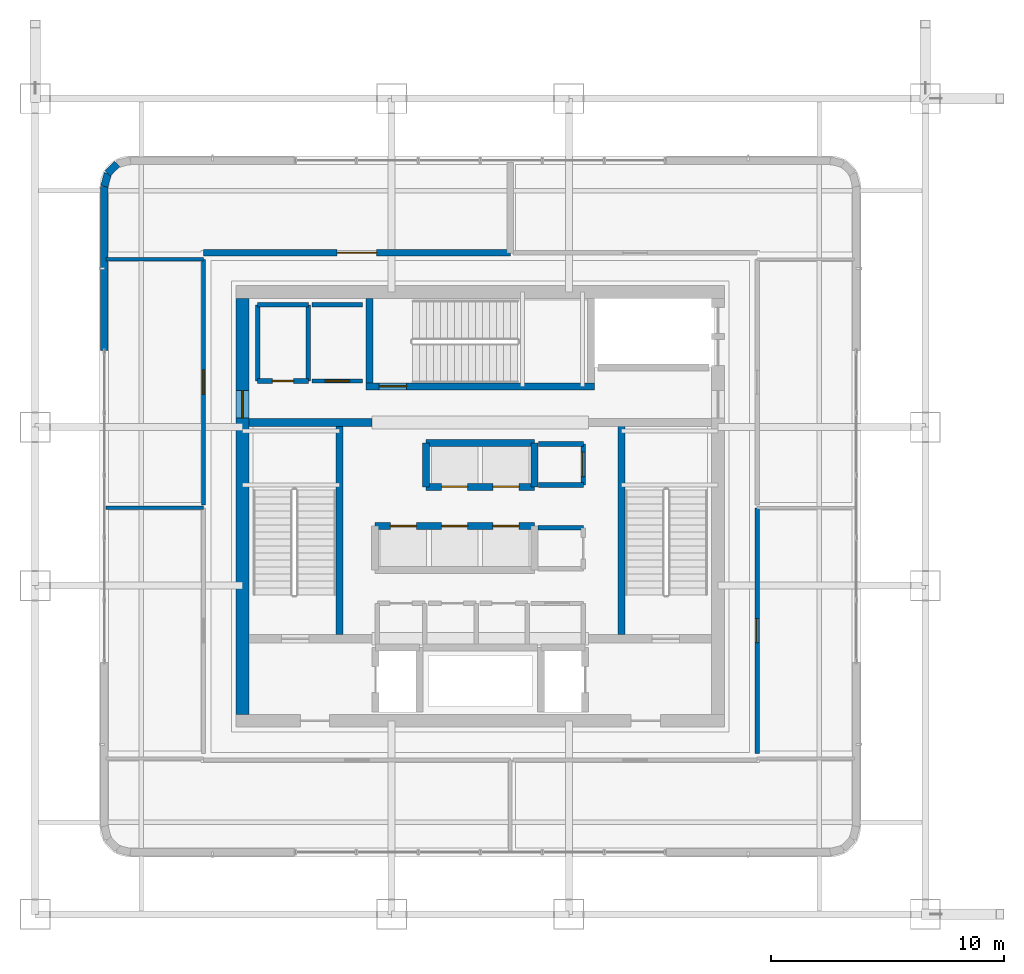
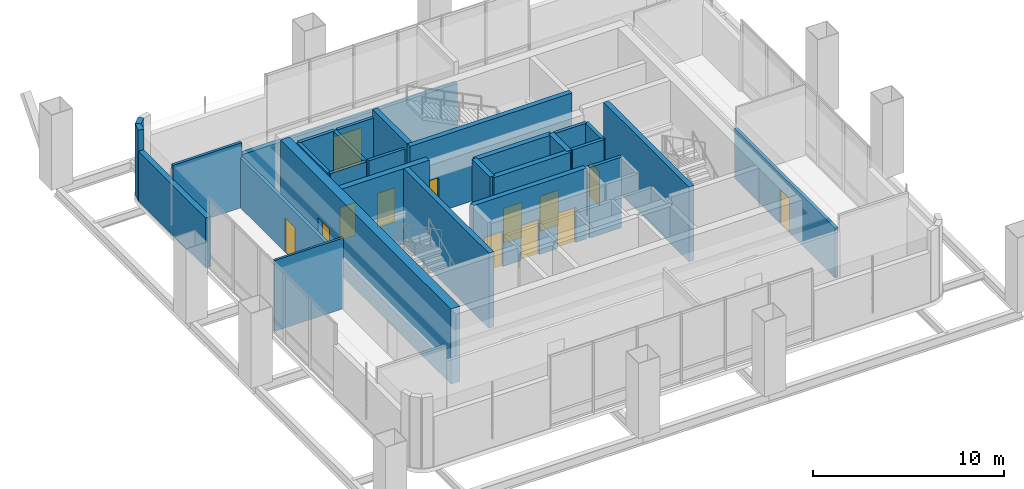
# One storey, part 21 of 33: 29 walls, 13 doors, 13 openings.
"""IFC4 building model written with IfcOpenShell, lengths in metres."""

from ifc_helpers import new_model, si_unit, direction, frame, frame_2d, origin, place, context, subcontext, project, spatial, rectangle, extrude, material, layer, layer_set, type_object, element, fill, save


model = new_model("IFC4")

# Units and contexts
model_context = context("Model", 3, precision=1e-05, world=origin(), true_north=direction((0.0, 1.0)))
body_context = subcontext(model_context, "Body", "Model", "MODEL_VIEW")
ifc_project = project(units=[si_unit("LENGTHUNIT", "METRE"), si_unit("AREAUNIT", "SQUARE_METRE"), si_unit("VOLUMEUNIT", "CUBIC_METRE"), si_unit("PLANEANGLEUNIT", "RADIAN"), si_unit("MASSUNIT", "GRAM", prefix="KILO")], contexts=[model_context])

# Site, building, storey
site_placement = place(None, origin())
site = spatial("IfcSite", under=ifc_project, at=site_placement, CompositionType="ELEMENT")
building_placement = place(site_placement, origin())
building = spatial("IfcBuilding", under=site, at=building_placement, Name="Punatoya Terracotta Tower", CompositionType="ELEMENT")
storey_placement = place(building_placement, frame((0.0, 0.0, 246.60009765625)))
storey = spatial("IfcBuildingStorey", under=building, at=storey_placement, Name="L58", CompositionType="ELEMENT", Elevation=246.60009765625)

# Wall, opening, door
ifc_material_1 = material(Name="Concrete C40/50", Category="concrete")
ifc_layer_1 = layer(ifc_material_1, 0.280029296875)
ifc_layer_set_1 = layer_set([ifc_layer_1], Name="Concrete C40/50")
wall_type_1 = type_object("IfcWallType", Name="WL-AUD-280", PredefinedType="SOLIDWALL", material=ifc_layer_set_1)
wall_1_placement = place(storey_placement, frame((1.285888671875, 10.8798828125, 0.0), z_axis=(0.0, 0.0, 1.0), x_axis=(-1.0, 0.0, 0.0)))
wall_1 = element("IfcWall", 1, at=wall_1_placement, inside=storey, type_object=wall_type_1, Name="L58 Waterfront Espresso Bistro Partition 36", PredefinedType="SOLIDWALL", context=body_context, shape_type="SweptSolid", body=[
    extrude(rectangle(XDim=13.165771484375, YDim=0.280029296875, at=frame_2d((6.5830078125, 0.0))), origin(), (0.0, 0.0, 1.0), 3.19384765625),
])
opening_1_placement = place(wall_1_placement, frame((5.73291015625, 0.0, 0.0)))
opening_1 = element("IfcOpeningElement", 2, at=opening_1_placement, cuts=wall_1, Name="Opening FD-D1", PredefinedType="OPENING", context=body_context, shape_type="SweptSolid", body=[
    extrude(rectangle(XDim=1.699951171875, YDim=2.300048828125, at=frame_2d((0.85009765625, 1.14990234375))), frame((0.0, 0.14990234375, 0.0), z_axis=(0.0, -1.0, 0.0), x_axis=(1.0, 0.0, 0.0)), (0.0, 0.0, 1.0), 0.300048828125),
])
ifc_material_2 = material(Name="Timber Teak Veneer Fire Leaf", Category="wood")
door_type_1 = type_object("IfcDoorType", Name="DR-DIN-1700", OperationType="NOTDEFINED", PredefinedType="DOOR", material=ifc_material_2)
door_1_placement = place(opening_1_placement, origin())
door_1 = element("IfcDoor", 3, at=door_1_placement, inside=storey, type_object=door_type_1, Name="L58 Waterfront Espresso Bistro Fire Door", OperationType="DOUBLE_DOOR_SINGLE_SWING", OverallHeight=2.300048828125, OverallWidth=1.699951171875, PredefinedType="DOOR", context=body_context, shape_type="SweptSolid", body=[
    extrude(rectangle(XDim=1.699951171875, YDim=2.300048828125, at=frame_2d((0.85009765625, 1.14990234375))), frame((0.0, 0.02490234375, 0.0), z_axis=(0.0, -1.0, 0.0), x_axis=(1.0, 0.0, 0.0)), (0.0, 0.0, 1.0), 0.050048828125),
])
fill(opening_1, door_1)

ifc_material_3 = material(Name="Concrete C50/60", Category="concrete")
ifc_layer_2 = layer(ifc_material_3, 0.550048828125)
ifc_layer_set_2 = layer_set([ifc_layer_2], Name="Concrete C50/60")
wall_type_2 = type_object("IfcWallType", Name="WL-COR-550", PredefinedType="SHEAR", material=ifc_layer_set_2)
wall_2_placement = place(storey_placement, frame((-10.199951171875, -8.925048828125, 0.0), z_axis=(0.0, 0.0, 1.0), x_axis=(0.0, 1.0, 0.0)))
wall_2 = element("IfcWall", 4, at=wall_2_placement, inside=storey, type_object=wall_type_2, Name="L58 Core Shear Wall W", PredefinedType="SHEAR", context=body_context, shape_type="SweptSolid", body=[
    extrude(rectangle(XDim=17.85009765625, YDim=0.550048828125, at=frame_2d((8.925048828125, 0.0))), origin(), (0.0, 0.0, 1.0), 4.7998046875),
])
opening_2_placement = place(wall_2_placement, frame((12.715087890625, 0.0, 0.0)))
opening_2 = element("IfcOpeningElement", 5, at=opening_2_placement, cuts=wall_2, Name="Opening SD-01", PredefinedType="OPENING", context=body_context, shape_type="SweptSolid", body=[
    extrude(rectangle(XDim=1.179931640625, YDim=2.199951171875, at=frame_2d((0.58984375, 1.10009765625))), frame((0.0, 0.284912109375, 0.0), z_axis=(0.0, -1.0, 0.0), x_axis=(1.0, 0.0, 0.0)), (0.0, 0.0, 1.0), 0.570068359375),
])
ifc_material_4 = material(Name="Galvanised Steel Pressurized Stair Fire Door", Category="steel")
door_type_2 = type_object("IfcDoorType", Name="DR-STR-1180", OperationType="NOTDEFINED", PredefinedType="DOOR", material=ifc_material_4)
door_2_placement = place(opening_2_placement, origin())
door_2 = element("IfcDoor", 6, at=door_2_placement, inside=storey, type_object=door_type_2, Name="L58 Central Lift Lobby West Fire Door", OperationType="SINGLE_SWING_LEFT", OverallHeight=2.199951171875, OverallWidth=1.179931640625, PredefinedType="DOOR", context=body_context, shape_type="SweptSolid", body=[
    extrude(rectangle(XDim=1.179931640625, YDim=2.199951171875, at=frame_2d((0.58984375, 1.10009765625))), frame((0.0, 0.02490234375, 0.0), z_axis=(0.0, -1.0, 0.0), x_axis=(1.0, 0.0, 0.0)), (0.0, 0.0, 1.0), 0.050048828125),
])
fill(opening_2, door_2)

# Wall
ifc_material_5 = material(Name="Gypsum Fireboard + Steel Stud", Category="steel")
ifc_layer_3 = layer(ifc_material_5, 0.179931640625)
ifc_layer_set_3 = layer_set([ifc_layer_3], Name="Gypsum Fireboard + Steel Stud")
wall_type_3 = type_object("IfcWallType", Name="WL-CORR-180", PredefinedType="PARTITIONING", material=ifc_layer_set_3)
wall_3_placement = place(storey_placement, frame((-5.050048828125, 8.64990234375, 0.0), z_axis=(0.0, 0.0, 1.0), x_axis=(-1.0, 0.0, 0.0)))
element("IfcWall", 7, at=wall_3_placement, inside=storey, type_object=wall_type_3, Name="L58 West Core Print Room Partition 20", PredefinedType="PARTITIONING", context=body_context, shape_type="SweptSolid", body=[
    extrude(rectangle(XDim=2.169921875, YDim=0.179931640625, at=frame_2d((1.0849609375, 0.0))), origin(), (0.0, 0.0, 1.0), 4.52001953125),
])

# Wall, opening, door
wall_4_placement = place(storey_placement, frame((-7.219970703125, 5.3798828125, 0.0), z_axis=(0.0, 0.0, 1.0), x_axis=(1.0, 0.0, 0.0)))
wall_4 = element("IfcWall", 8, at=wall_4_placement, inside=storey, type_object=wall_type_3, Name="L58 West Core Print Room Partition 21", PredefinedType="PARTITIONING", context=body_context, shape_type="SweptSolid", body=[
    extrude(rectangle(XDim=2.169921875, YDim=0.179931640625, at=frame_2d((1.0849609375, 0.0))), origin(), (0.0, 0.0, 1.0), 4.52001953125),
])
opening_3_placement = place(wall_4_placement, frame((0.56005859375, 0.0, 0.0)))
opening_3 = element("IfcOpeningElement", 9, at=opening_3_placement, cuts=wall_4, Name="Opening OD-01", PredefinedType="OPENING", context=body_context, shape_type="SweptSolid", body=[
    extrude(rectangle(XDim=1.050048828125, YDim=2.199951171875, at=frame_2d((0.52490234375, 1.10009765625))), frame((0.0, 0.099853515625, 0.0), z_axis=(0.0, -1.0, 0.0), x_axis=(1.0, 0.0, 0.0)), (0.0, 0.0, 1.0), 0.199951171875),
])
ifc_material_6 = material(Name="Bengal Teak Solid-Core Leaf")
door_type_3 = type_object("IfcDoorType", Name="DR-OFF-1050", OperationType="NOTDEFINED", PredefinedType="DOOR", material=ifc_material_6)
door_3_placement = place(opening_3_placement, origin())
door_3 = element("IfcDoor", 10, at=door_3_placement, inside=storey, type_object=door_type_3, Name="L58 West Print Room Door", OperationType="SINGLE_SWING_RIGHT", OverallHeight=2.199951171875, OverallWidth=1.050048828125, PredefinedType="DOOR", context=body_context, shape_type="SweptSolid", body=[
    extrude(rectangle(XDim=1.050048828125, YDim=2.199951171875, at=frame_2d((0.52490234375, 1.10009765625))), frame((0.0, 0.02490234375, 0.0), z_axis=(0.0, -1.0, 0.0), x_axis=(1.0, 0.0, 0.0)), (0.0, 0.0, 1.0), 0.050048828125),
])
fill(opening_3, door_3)

wall_5_placement = place(storey_placement, frame((11.8798828125, -10.60009765625, 0.0), z_axis=(0.0, 0.0, 1.0), x_axis=(0.0, 1.0, 0.0)))
wall_5 = element("IfcWall", 11, at=wall_5_placement, inside=storey, type_object=wall_type_3, Name="L58 Collaborative Seminar Room Partition 29", PredefinedType="PARTITIONING", context=body_context, shape_type="SweptSolid", body=[
    extrude(rectangle(XDim=10.5400390625, YDim=0.179931640625, at=frame_2d((5.27001953125, 0.0))), origin(), (0.0, 0.0, 1.0), 3.19384765625),
])
opening_4_placement = place(wall_5_placement, frame((4.760009765625, 0.0, 0.0)))
opening_4 = element("IfcOpeningElement", 12, at=opening_4_placement, cuts=wall_5, Name="Opening MD-01", PredefinedType="OPENING", context=body_context, shape_type="SweptSolid", body=[
    extrude(rectangle(XDim=1.02001953125, YDim=2.199951171875, at=frame_2d((0.510009765625, 1.10009765625))), frame((0.0, 0.099853515625, 0.0), z_axis=(0.0, -1.0, 0.0), x_axis=(1.0, 0.0, 0.0)), (0.0, 0.0, 1.0), 0.199951171875),
])
ifc_material_7 = material(Name="Aluminium + Acoustic Glass Leaf", Category="aluminium")
door_type_4 = type_object("IfcDoorType", Name="DR-MTG-1020", OperationType="NOTDEFINED", PredefinedType="DOOR", material=ifc_material_7)
door_4_placement = place(opening_4_placement, origin())
door_4 = element("IfcDoor", 13, at=door_4_placement, inside=storey, type_object=door_type_4, Name="L58 Collaborative Seminar Room Door", OperationType="SINGLE_SWING_RIGHT", OverallHeight=2.199951171875, OverallWidth=1.02001953125, PredefinedType="DOOR", context=body_context, shape_type="SweptSolid", body=[
    extrude(rectangle(XDim=1.02001953125, YDim=2.199951171875, at=frame_2d((0.510009765625, 1.10009765625))), frame((0.0, 0.02490234375, 0.0), z_axis=(0.0, -1.0, 0.0), x_axis=(1.0, 0.0, 0.0)), (0.0, 0.0, 1.0), 0.050048828125),
])
fill(opening_4, door_4)

wall_6_placement = place(storey_placement, frame((-11.8798828125, 10.60009765625, 0.0), z_axis=(0.0, 0.0, 1.0), x_axis=(0.0, -1.0, 0.0)))
wall_6 = element("IfcWall", 14, at=wall_6_placement, inside=storey, type_object=wall_type_3, Name="L58 Barista Tea Pantry Partition 32", PredefinedType="PARTITIONING", context=body_context, shape_type="SweptSolid", body=[
    extrude(rectangle(XDim=10.5400390625, YDim=0.179931640625, at=frame_2d((5.27001953125, 0.0))), origin(), (0.0, 0.0, 1.0), 3.19384765625),
])
opening_5_placement = place(wall_6_placement, frame((4.7451171875, 0.0, 0.0)))
opening_5 = element("IfcOpeningElement", 15, at=opening_5_placement, cuts=wall_6, Name="Opening OD-01", PredefinedType="OPENING", context=body_context, shape_type="SweptSolid", body=[
    extrude(rectangle(XDim=1.050048828125, YDim=2.199951171875, at=frame_2d((0.52490234375, 1.10009765625))), frame((0.0, 0.099853515625, 0.0), z_axis=(0.0, -1.0, 0.0), x_axis=(1.0, 0.0, 0.0)), (0.0, 0.0, 1.0), 0.199951171875),
])
door_5_placement = place(opening_5_placement, origin())
door_5 = element("IfcDoor", 16, at=door_5_placement, inside=storey, type_object=door_type_3, Name="L58 Barista Tea Pantry Door", OperationType="SINGLE_SWING_LEFT", OverallHeight=2.199951171875, OverallWidth=1.050048828125, PredefinedType="DOOR", context=body_context, shape_type="SweptSolid", body=[
    extrude(rectangle(XDim=1.050048828125, YDim=2.199951171875, at=frame_2d((0.52490234375, 1.10009765625))), frame((0.0, 0.02490234375, 0.0), z_axis=(0.0, -1.0, 0.0), x_axis=(1.0, 0.0, 0.0)), (0.0, 0.0, 1.0), 0.050048828125),
])
fill(opening_5, door_5)

# Walls
ifc_material_8 = material(Name="Precast concrete C40/50", Category="concrete")
ifc_layer_4 = layer(ifc_material_8, 0.320068359375)
ifc_layer_set_4 = layer_set([ifc_layer_4], Name="Precast concrete C40/50")
wall_type_4 = type_object("IfcWallType", Name="WL-EXT-320", PredefinedType="SOLIDWALL", material=ifc_layer_set_4)
wall_7_placement = place(storey_placement, frame((-15.5791015625, 14.691162109375, 0.0), z_axis=(0.0, 0.0, 1.0), x_axis=(-0.707106781187, -0.707106781187, 0.0)))
element("IfcWall", 17, at=wall_7_placement, inside=storey, type_object=wall_type_4, Name="L58 Rounded Terracotta Corner Pier 11", PredefinedType="SOLIDWALL", context=body_context, shape_type="SweptSolid", body=[
    extrude(rectangle(XDim=0.568603515625, YDim=0.320068359375, at=frame_2d((0.2841796875, 0.0))), origin(), (0.0, 0.0, 1.0), 4.52001953125),
])
wall_8_placement = place(storey_placement, frame((-15.981201171875, 14.2890625, 0.0), z_axis=(0.0, 0.0, 1.0), x_axis=(-0.255650250031, -0.966769336325, 0.0)))
element("IfcWall", 18, at=wall_8_placement, inside=storey, type_object=wall_type_4, Name="L58 Rounded Terracotta Corner Pier 12", PredefinedType="SOLIDWALL", context=body_context, shape_type="SweptSolid", body=[
    extrude(rectangle(XDim=0.58154296875, YDim=0.320068359375, at=frame_2d((0.290771484375, 0.0))), origin(), (0.0, 0.0, 1.0), 4.52001953125),
])
wall_9_placement = place(storey_placement, frame((-16.1298828125, 13.726806640625, 0.0), z_axis=(0.0, 0.0, 1.0), x_axis=(0.0, -1.0, 0.0)))
element("IfcWall", 19, at=wall_9_placement, inside=storey, type_object=wall_type_4, Name="L58 Terracotta Braced Facade Wall W1", PredefinedType="SOLIDWALL", context=body_context, shape_type="SweptSolid", body=[
    extrude(rectangle(XDim=7.036865234375, YDim=0.320068359375, at=frame_2d((3.5185546875, 0.0))), origin(), (0.0, 0.0, 1.0), 3.19384765625),
])
ifc_layer_5 = layer(ifc_material_1, 0.199951171875)
ifc_layer_set_5 = layer_set([ifc_layer_5], Name="Concrete C40/50")
wall_type_5 = type_object("IfcWallType", Name="WL-INT-200", PredefinedType="SOLIDWALL", material=ifc_layer_set_5)
wall_10_placement = place(storey_placement, frame((4.419921875, -0.919921875, 0.0), z_axis=(0.0, 0.0, 1.0), x_axis=(-1.0, 0.0, 0.0)))
element("IfcWall", 20, at=wall_10_placement, inside=storey, type_object=wall_type_5, Name="L58 East Core Reprographics Store Partition 11", PredefinedType="SOLIDWALL", context=body_context, shape_type="SweptSolid", body=[
    extrude(rectangle(XDim=1.93994140625, YDim=0.199951171875, at=frame_2d((0.969970703125, 0.0))), origin(), (0.0, 0.0, 1.0), 4.52001953125),
])

# Wall, opening, door
wall_11_placement = place(storey_placement, frame((4.419921875, 0.919921875, 0.0), z_axis=(0.0, 0.0, 1.0), x_axis=(0.0, 1.0, 0.0)))
wall_11 = element("IfcWall", 21, at=wall_11_placement, inside=storey, type_object=wall_type_5, Name="L58 Executive Steward Pantry Partition 13", PredefinedType="SOLIDWALL", context=body_context, shape_type="SweptSolid", body=[
    extrude(rectangle(XDim=1.760009765625, YDim=0.199951171875, at=frame_2d((0.8798828125, 0.0))), origin(), (0.0, 0.0, 1.0), 4.52001953125),
])
opening_6_placement = place(wall_11_placement, frame((0.35498046875, 0.0, 0.0)))
opening_6 = element("IfcOpeningElement", 22, at=opening_6_placement, cuts=wall_11, Name="Opening OD-01", PredefinedType="OPENING", context=body_context, shape_type="SweptSolid", body=[
    extrude(rectangle(XDim=1.050048828125, YDim=2.199951171875, at=frame_2d((0.52490234375, 1.10009765625))), frame((0.0, 0.10986328125, 0.0), z_axis=(0.0, -1.0, 0.0), x_axis=(1.0, 0.0, 0.0)), (0.0, 0.0, 1.0), 0.219970703125),
])
door_6_placement = place(opening_6_placement, origin())
door_6 = element("IfcDoor", 23, at=door_6_placement, inside=storey, type_object=door_type_3, Name="L58 Executive Steward Pantry Door", OperationType="SINGLE_SWING_RIGHT", OverallHeight=2.199951171875, OverallWidth=1.050048828125, PredefinedType="DOOR", context=body_context, shape_type="SweptSolid", body=[
    extrude(rectangle(XDim=1.050048828125, YDim=2.199951171875, at=frame_2d((0.52490234375, 1.10009765625))), frame((0.0, 0.02490234375, 0.0), z_axis=(0.0, -1.0, 0.0), x_axis=(1.0, 0.0, 0.0)), (0.0, 0.0, 1.0), 0.050048828125),
])
fill(opening_6, door_6)

# Walls
for number, where, z_axis, x_axis, name in (
    (24, (4.419921875, 2.679931640625, 0.0), (0.0, 0.0, 1.0), (-1.0, 0.0, 0.0), "L58 Executive Steward Pantry Partition 14"),
    (25, (2.5, 0.919921875, 0.0), (0.0, 0.0, 1.0), (1.0, 0.0, 0.0), "L58 Executive Steward Pantry Partition 15"),
):
    element("IfcWall", number, at=place(storey_placement, frame(where, z_axis=z_axis, x_axis=x_axis)), inside=storey, type_object=wall_type_5, Name=name, PredefinedType="SOLIDWALL", context=body_context, shape_type="SweptSolid", body=[
        extrude(rectangle(XDim=1.919921875, YDim=0.199951171875, at=frame_2d((0.9599609375, 0.0))), origin(), (0.0, 0.0, 1.0), 4.52001953125),
    ])
wall_12_placement = place(storey_placement, frame((-7.3798828125, 5.3798828125, 0.0), z_axis=(0.0, 0.0, 1.0), x_axis=(0.0, 1.0, 0.0)))
element("IfcWall", 26, at=wall_12_placement, inside=storey, type_object=wall_type_5, Name="L58 West Core Archive Vault Partition 16", PredefinedType="SOLIDWALL", context=body_context, shape_type="SweptSolid", body=[
    extrude(rectangle(XDim=3.27001953125, YDim=0.199951171875, at=frame_2d((1.635009765625, 0.0))), origin(), (0.0, 0.0, 1.0), 4.52001953125),
])
wall_13_placement = place(storey_placement, frame((-7.3798828125, 8.64990234375, 0.0), z_axis=(0.0, 0.0, 1.0), x_axis=(-1.0, 0.0, 0.0)))
element("IfcWall", 27, at=wall_13_placement, inside=storey, type_object=wall_type_5, Name="L58 West Core Archive Vault Partition 17", PredefinedType="SOLIDWALL", context=body_context, shape_type="SweptSolid", body=[
    extrude(rectangle(XDim=2.170166015625, YDim=0.199951171875, at=frame_2d((1.0849609375, 0.0))), origin(), (0.0, 0.0, 1.0), 4.52001953125),
])
wall_14_placement = place(storey_placement, frame((-9.550048828125, 8.64990234375, 0.0), z_axis=(0.0, 0.0, 1.0), x_axis=(0.0, -1.0, 0.0)))
element("IfcWall", 28, at=wall_14_placement, inside=storey, type_object=wall_type_5, Name="L58 West Core Archive Vault Partition 18", PredefinedType="SOLIDWALL", context=body_context, shape_type="SweptSolid", body=[
    extrude(rectangle(XDim=3.27001953125, YDim=0.199951171875, at=frame_2d((1.635009765625, 0.0))), origin(), (0.0, 0.0, 1.0), 4.52001953125),
])

# Wall, opening, door
wall_15_placement = place(storey_placement, frame((-9.550048828125, 5.3798828125, 0.0), z_axis=(0.0, 0.0, 1.0), x_axis=(1.0, 0.0, 0.0)))
wall_15 = element("IfcWall", 29, at=wall_15_placement, inside=storey, type_object=wall_type_5, Name="L58 West Core Archive Vault Partition 19", PredefinedType="SOLIDWALL", context=body_context, shape_type="SweptSolid", body=[
    extrude(rectangle(XDim=2.170166015625, YDim=0.199951171875, at=frame_2d((1.0849609375, 0.0))), origin(), (0.0, 0.0, 1.0), 4.52001953125),
])
opening_7_placement = place(wall_15_placement, frame((0.625, 0.0, 0.0)))
opening_7 = element("IfcOpeningElement", 30, at=opening_7_placement, cuts=wall_15, Name="Opening FD-R1", PredefinedType="OPENING", context=body_context, shape_type="SweptSolid", body=[
    extrude(rectangle(XDim=0.919921875, YDim=2.10009765625, at=frame_2d((0.4599609375, 1.050048828125))), frame((0.0, 0.10986328125, 0.0), z_axis=(0.0, -1.0, 0.0), x_axis=(1.0, 0.0, 0.0)), (0.0, 0.0, 1.0), 0.219970703125),
])
ifc_material_9 = material(Name="Galvanised Steel Riser Fire Access Door", Category="steel")
door_type_5 = type_object("IfcDoorType", Name="DR-RSR-920", OperationType="NOTDEFINED", PredefinedType="DOOR", material=ifc_material_9)
door_7_placement = place(opening_7_placement, origin())
door_7 = element("IfcDoor", 31, at=door_7_placement, inside=storey, type_object=door_type_5, Name="L58 West Core Archive Vault Fire Door", OperationType="SINGLE_SWING_LEFT", OverallHeight=2.10009765625, OverallWidth=0.919921875, PredefinedType="DOOR", context=body_context, shape_type="SweptSolid", body=[
    extrude(rectangle(XDim=0.919921875, YDim=2.10009765625, at=frame_2d((0.4599609375, 1.050048828125))), frame((0.0, 0.02490234375, 0.0), z_axis=(0.0, -1.0, 0.0), x_axis=(1.0, 0.0, 0.0)), (0.0, 0.0, 1.0), 0.050048828125),
])
fill(opening_7, door_7)

# Walls
ifc_material_10 = material(Name="Acoustic Gypsum + Steel Stud", Category="steel")
ifc_layer_6 = layer(ifc_material_10, 0.139892578125)
ifc_layer_set_6 = layer_set([ifc_layer_6], Name="Acoustic Gypsum + Steel Stud")
wall_type_6 = type_object("IfcWallType", Name="WL-OFF-140", PredefinedType="PARTITIONING", material=ifc_layer_set_6)
wall_16_placement = place(storey_placement, frame((-16.050048828125, -0.06005859375, 0.0), z_axis=(0.0, 0.0, 1.0), x_axis=(1.0, 0.0, 0.0)))
element("IfcWall", 32, at=wall_16_placement, inside=storey, type_object=wall_type_6, Name="L58 Staff Wellness Studio Partition 27", PredefinedType="PARTITIONING", context=body_context, shape_type="SweptSolid", body=[
    extrude(rectangle(XDim=4.170166015625, YDim=0.139892578125, at=frame_2d((2.0849609375, 0.0))), origin(), (0.0, 0.0, 1.0), 4.52001953125),
])
ifc_layer_7 = layer(ifc_material_1, 0.300048828125)
ifc_layer_set_7 = layer_set([ifc_layer_7], Name="Concrete C40/50")
wall_type_7 = type_object("IfcWallType", Name="WL-SHF-300", PredefinedType="SOLIDWALL", material=ifc_layer_set_7)
for number, where, z_axis, x_axis, name in (
    (33, (-6.050048828125, -5.5, 0.0), (0.0, 0.0, 1.0), (0.0, 1.0, 0.0), "L58 Structural Stair Shaft Wall SW-ST1-E"),
    (34, (6.050048828125, 3.449951171875, 0.0), (0.0, 0.0, 1.0), (0.0, -1.0, 0.0), "L58 Structural Stair Shaft Wall SW-ST2-W"),
):
    element("IfcWall", number, at=place(storey_placement, frame(where, z_axis=z_axis, x_axis=x_axis)), inside=storey, type_object=wall_type_7, Name=name, PredefinedType="SOLIDWALL", context=body_context, shape_type="SweptSolid", body=[
        extrude(rectangle(XDim=8.949951171875, YDim=0.300048828125, at=frame_2d((4.47509765625, 0.0))), origin(), (0.0, 0.0, 1.0), 4.7998046875),
    ])
wall_17_placement = place(storey_placement, frame((-4.75, 5.300048828125, 0.0), z_axis=(0.0, 0.0, 1.0), x_axis=(0.0, 1.0, 0.0)))
element("IfcWall", 35, at=wall_17_placement, inside=storey, type_object=wall_type_7, Name="L58 Structural Stair Shaft Wall SW-ST3-W", PredefinedType="SOLIDWALL", context=body_context, shape_type="SweptSolid", body=[
    extrude(rectangle(XDim=3.625, YDim=0.300048828125, at=frame_2d((1.8125, 0.0))), origin(), (0.0, 0.0, 1.0), 4.7998046875),
])

# Wall, opening, door
wall_18_placement = place(storey_placement, frame((-4.89990234375, 5.14990234375, 0.0), z_axis=(0.0, 0.0, 1.0), x_axis=(1.0, 0.0, 0.0)))
wall_18 = element("IfcWall", 36, at=wall_18_placement, inside=storey, type_object=wall_type_7, Name="L58 Structural Stair Shaft Wall SW-ST3-S", PredefinedType="SOLIDWALL", context=body_context, shape_type="SweptSolid", body=[
    extrude(rectangle(XDim=9.7998046875, YDim=0.300048828125, at=frame_2d((4.89990234375, 0.0))), origin(), (0.0, 0.0, 1.0), 4.7998046875),
])
opening_8_placement = place(wall_18_placement, frame((0.56005859375, 0.0, 0.0)))
opening_8 = element("IfcOpeningElement", 37, at=opening_8_placement, cuts=wall_18, Name="Opening SD-01", PredefinedType="OPENING", context=body_context, shape_type="SweptSolid", body=[
    extrude(rectangle(XDim=1.179931640625, YDim=2.199951171875, at=frame_2d((0.58984375, 1.10009765625))), frame((0.0, 0.159912109375, 0.0), z_axis=(0.0, -1.0, 0.0), x_axis=(1.0, 0.0, 0.0)), (0.0, 0.0, 1.0), 0.320068359375),
])
door_8_placement = place(opening_8_placement, origin())
door_8 = element("IfcDoor", 38, at=door_8_placement, inside=storey, type_object=door_type_2, Name="L58 Stair ST-3 Core Lobby Fire Door", OperationType="SINGLE_SWING_LEFT", OverallHeight=2.199951171875, OverallWidth=1.179931640625, PredefinedType="DOOR", context=body_context, shape_type="SweptSolid", body=[
    extrude(rectangle(XDim=1.179931640625, YDim=2.199951171875, at=frame_2d((0.58984375, 1.10009765625))), frame((0.0, 0.02490234375, 0.0), z_axis=(0.0, -1.0, 0.0), x_axis=(1.0, 0.0, 0.0)), (0.0, 0.0, 1.0), 0.050048828125),
])
fill(opening_8, door_8)

# Wall, openings, doors
wall_19_placement = place(storey_placement, frame((-4.52001953125, -0.840087890625, 0.0), z_axis=(0.0, 0.0, 1.0), x_axis=(1.0, 0.0, 0.0)))
wall_19 = element("IfcWall", 39, at=wall_19_placement, inside=storey, type_object=wall_type_7, Name="L58 South Lift Bank Front Shaft Wall", PredefinedType="SOLIDWALL", context=body_context, shape_type="SweptSolid", body=[
    extrude(rectangle(XDim=6.840087890625, YDim=0.300048828125, at=frame_2d((3.419921875, 0.0))), origin(), (0.0, 0.0, 1.0), 4.52001953125),
])
opening_9_placement = place(wall_19_placement, frame((0.659912109375, 0.0, 0.0)))
opening_9 = element("IfcOpeningElement", 40, at=opening_9_placement, cuts=wall_19, Name="Opening LD-02", PredefinedType="OPENING", context=body_context, shape_type="SweptSolid", body=[
    extrude(rectangle(XDim=1.1201171875, YDim=2.25, at=frame_2d((0.56005859375, 1.125))), frame((0.0, 0.159912109375, 0.0), z_axis=(0.0, -1.0, 0.0), x_axis=(1.0, 0.0, 0.0)), (0.0, 0.0, 1.0), 0.320068359375),
])
opening_10_placement = place(wall_19_placement, frame((2.860107421875, 0.0, 0.0)))
opening_10 = element("IfcOpeningElement", 41, at=opening_10_placement, cuts=wall_19, Name="Opening LD-02", PredefinedType="OPENING", context=body_context, shape_type="SweptSolid", body=[
    extrude(rectangle(XDim=1.1201171875, YDim=2.25, at=frame_2d((0.56005859375, 1.125))), frame((0.0, 0.159912109375, 0.0), z_axis=(0.0, -1.0, 0.0), x_axis=(1.0, 0.0, 0.0)), (0.0, 0.0, 1.0), 0.320068359375),
])
opening_11_placement = place(wall_19_placement, frame((5.06005859375, 0.0, 0.0)))
opening_11 = element("IfcOpeningElement", 42, at=opening_11_placement, cuts=wall_19, Name="Opening LD-02", PredefinedType="OPENING", context=body_context, shape_type="SweptSolid", body=[
    extrude(rectangle(XDim=1.1201171875, YDim=2.25, at=frame_2d((0.56005859375, 1.125))), frame((0.0, 0.159912109375, 0.0), z_axis=(0.0, -1.0, 0.0), x_axis=(1.0, 0.0, 0.0)), (0.0, 0.0, 1.0), 0.320068359375),
])
ifc_material_11 = material(Name="Stainless Steel Lift Landing Door", Category="steel")
door_type_6 = type_object("IfcDoorType", Name="DR-LND-1120", OperationType="NOTDEFINED", PredefinedType="DOOR", material=ifc_material_11)
door_9_placement = place(opening_9_placement, origin())
door_9 = element("IfcDoor", 43, at=door_9_placement, inside=storey, type_object=door_type_6, Name="L58 Lift PL-H1 Sliding Landing Door", OperationType="DOUBLE_DOOR_SLIDING", OverallHeight=2.25, OverallWidth=1.1201171875, PredefinedType="DOOR", context=body_context, shape_type="SweptSolid", body=[
    extrude(rectangle(XDim=1.1201171875, YDim=2.25, at=frame_2d((0.56005859375, 1.125))), frame((0.0, 0.02490234375, 0.0), z_axis=(0.0, -1.0, 0.0), x_axis=(1.0, 0.0, 0.0)), (0.0, 0.0, 1.0), 0.050048828125),
])
fill(opening_9, door_9)
door_10_placement = place(opening_10_placement, origin())
door_10 = element("IfcDoor", 44, at=door_10_placement, inside=storey, type_object=door_type_6, Name="L58 Lift PL-H2 Sliding Landing Door", OperationType="DOUBLE_DOOR_SLIDING", OverallHeight=2.25, OverallWidth=1.1201171875, PredefinedType="DOOR", context=body_context, shape_type="SweptSolid", body=[
    extrude(rectangle(XDim=1.1201171875, YDim=2.25, at=frame_2d((0.56005859375, 1.125))), frame((0.0, 0.02490234375, 0.0), z_axis=(0.0, -1.0, 0.0), x_axis=(1.0, 0.0, 0.0)), (0.0, 0.0, 1.0), 0.050048828125),
])
fill(opening_10, door_10)
door_11_placement = place(opening_11_placement, origin())
door_11 = element("IfcDoor", 45, at=door_11_placement, inside=storey, type_object=door_type_6, Name="L58 Lift PL-H3 Sliding Landing Door", OperationType="DOUBLE_DOOR_SLIDING", OverallHeight=2.25, OverallWidth=1.1201171875, PredefinedType="DOOR", context=body_context, shape_type="SweptSolid", body=[
    extrude(rectangle(XDim=1.1201171875, YDim=2.25, at=frame_2d((0.56005859375, 1.125))), frame((0.0, 0.02490234375, 0.0), z_axis=(0.0, -1.0, 0.0), x_axis=(1.0, 0.0, 0.0)), (0.0, 0.0, 1.0), 0.050048828125),
])
fill(opening_11, door_11)

wall_20_placement = place(storey_placement, frame((-2.320068359375, 0.840087890625, 0.0), z_axis=(0.0, 0.0, 1.0), x_axis=(1.0, 0.0, 0.0)))
wall_20 = element("IfcWall", 46, at=wall_20_placement, inside=storey, type_object=wall_type_7, Name="L58 North Lift Bank Front Shaft Wall", PredefinedType="SOLIDWALL", context=body_context, shape_type="SweptSolid", body=[
    extrude(rectangle(XDim=4.64013671875, YDim=0.300048828125, at=frame_2d((2.320068359375, 0.0))), origin(), (0.0, 0.0, 1.0), 4.52001953125),
])
opening_12_placement = place(wall_20_placement, frame((0.659912109375, 0.0, 0.0)))
opening_12 = element("IfcOpeningElement", 47, at=opening_12_placement, cuts=wall_20, Name="Opening LD-02", PredefinedType="OPENING", context=body_context, shape_type="SweptSolid", body=[
    extrude(rectangle(XDim=1.1201171875, YDim=2.25, at=frame_2d((0.56005859375, 1.125))), frame((0.0, 0.159912109375, 0.0), z_axis=(0.0, -1.0, 0.0), x_axis=(1.0, 0.0, 0.0)), (0.0, 0.0, 1.0), 0.320068359375),
])
opening_13_placement = place(wall_20_placement, frame((2.860107421875, 0.0, 0.0)))
opening_13 = element("IfcOpeningElement", 48, at=opening_13_placement, cuts=wall_20, Name="Opening LD-02", PredefinedType="OPENING", context=body_context, shape_type="SweptSolid", body=[
    extrude(rectangle(XDim=1.1201171875, YDim=2.25, at=frame_2d((0.56005859375, 1.125))), frame((0.0, 0.159912109375, 0.0), z_axis=(0.0, -1.0, 0.0), x_axis=(1.0, 0.0, 0.0)), (0.0, 0.0, 1.0), 0.320068359375),
])
door_12_placement = place(opening_12_placement, origin())
door_12 = element("IfcDoor", 49, at=door_12_placement, inside=storey, type_object=door_type_6, Name="L58 Lift PL-E1 Sliding Landing Door", OperationType="DOUBLE_DOOR_SLIDING", OverallHeight=2.25, OverallWidth=1.1201171875, PredefinedType="DOOR", context=body_context, shape_type="SweptSolid", body=[
    extrude(rectangle(XDim=1.1201171875, YDim=2.25, at=frame_2d((0.56005859375, 1.125))), frame((0.0, 0.02490234375, 0.0), z_axis=(0.0, -1.0, 0.0), x_axis=(1.0, 0.0, 0.0)), (0.0, 0.0, 1.0), 0.050048828125),
])
fill(opening_12, door_12)
door_13_placement = place(opening_13_placement, origin())
door_13 = element("IfcDoor", 50, at=door_13_placement, inside=storey, type_object=door_type_6, Name="L58 Lift PL-E2 Sliding Landing Door", OperationType="DOUBLE_DOOR_SLIDING", OverallHeight=2.25, OverallWidth=1.1201171875, PredefinedType="DOOR", context=body_context, shape_type="SweptSolid", body=[
    extrude(rectangle(XDim=1.1201171875, YDim=2.25, at=frame_2d((0.56005859375, 1.125))), frame((0.0, 0.02490234375, 0.0), z_axis=(0.0, -1.0, 0.0), x_axis=(1.0, 0.0, 0.0)), (0.0, 0.0, 1.0), 0.050048828125),
])
fill(opening_13, door_13)

# Walls
wall_21_placement = place(storey_placement, frame((-2.320068359375, 2.719970703125, 0.0), z_axis=(0.0, 0.0, 1.0), x_axis=(1.0, 0.0, 0.0)))
element("IfcWall", 51, at=wall_21_placement, inside=storey, type_object=wall_type_7, Name="L58 North Lift Bank Rear Shaft Wall", PredefinedType="SOLIDWALL", context=body_context, shape_type="SweptSolid", body=[
    extrude(rectangle(XDim=4.64013671875, YDim=0.300048828125, at=frame_2d((2.320068359375, 0.0))), origin(), (0.0, 0.0, 1.0), 4.52001953125),
])
for number, where, z_axis, x_axis, name in (
    (52, (-2.320068359375, 0.840087890625, 0.0), (0.0, 0.0, 1.0), (0.0, 1.0, 0.0), "L58 North Lift Bank West End Wall"),
    (53, (2.320068359375, 0.840087890625, 0.0), (0.0, 0.0, 1.0), (0.0, 1.0, 0.0), "L58 North Lift Bank East End Wall"),
):
    element("IfcWall", number, at=place(storey_placement, frame(where, z_axis=z_axis, x_axis=x_axis)), inside=storey, type_object=wall_type_7, Name=name, PredefinedType="SOLIDWALL", context=body_context, shape_type="SweptSolid", body=[
        extrude(rectangle(XDim=1.8798828125, YDim=0.300048828125, at=frame_2d((0.93994140625, 0.0))), origin(), (0.0, 0.0, 1.0), 4.52001953125),
    ])
ifc_layer_8 = layer(ifc_material_3, 0.35009765625)
ifc_layer_set_8 = layer_set([ifc_layer_8], Name="Concrete C50/60")
wall_type_8 = type_object("IfcWallType", Name="WL-SHF-350", PredefinedType="SOLIDWALL", material=ifc_layer_set_8)
wall_22_placement = place(storey_placement, frame((-9.925048828125, 3.60009765625, 0.0), z_axis=(0.0, 0.0, 1.0), x_axis=(1.0, 0.0, 0.0)))
element("IfcWall", 54, at=wall_22_placement, inside=storey, type_object=wall_type_8, Name="L58 Core Web Wall CNW-L", PredefinedType="SOLIDWALL", context=body_context, shape_type="SweptSolid", body=[
    extrude(rectangle(XDim=5.275146484375, YDim=0.35009765625, at=frame_2d((2.6376953125, 0.0))), origin(), (0.0, 0.0, 1.0), 4.7998046875),
])
ifc_material_12 = material(Name="Masonry Blockwork + Ceramic Tile", Category="masonry")
ifc_layer_9 = layer(ifc_material_12, 0.159912109375)
ifc_layer_set_9 = layer_set([ifc_layer_9], Name="Masonry Blockwork + Ceramic Tile")
wall_type_9 = type_object("IfcWallType", Name="WL-WET-160", PredefinedType="PARTITIONING", material=ifc_layer_set_9)
wall_23_placement = place(storey_placement, frame((-16.050048828125, 10.60009765625, 0.0), z_axis=(0.0, 0.0, 1.0), x_axis=(1.0, 0.0, 0.0)))
element("IfcWall", 55, at=wall_23_placement, inside=storey, type_object=wall_type_9, Name="L58 Barista Tea Pantry Partition 31", PredefinedType="PARTITIONING", context=body_context, shape_type="SweptSolid", body=[
    extrude(rectangle(XDim=4.170166015625, YDim=0.159912109375, at=frame_2d((2.0849609375, 0.0))), origin(), (0.0, 0.0, 1.0), 4.15380859375),
])

save(model, "model.ifc")
